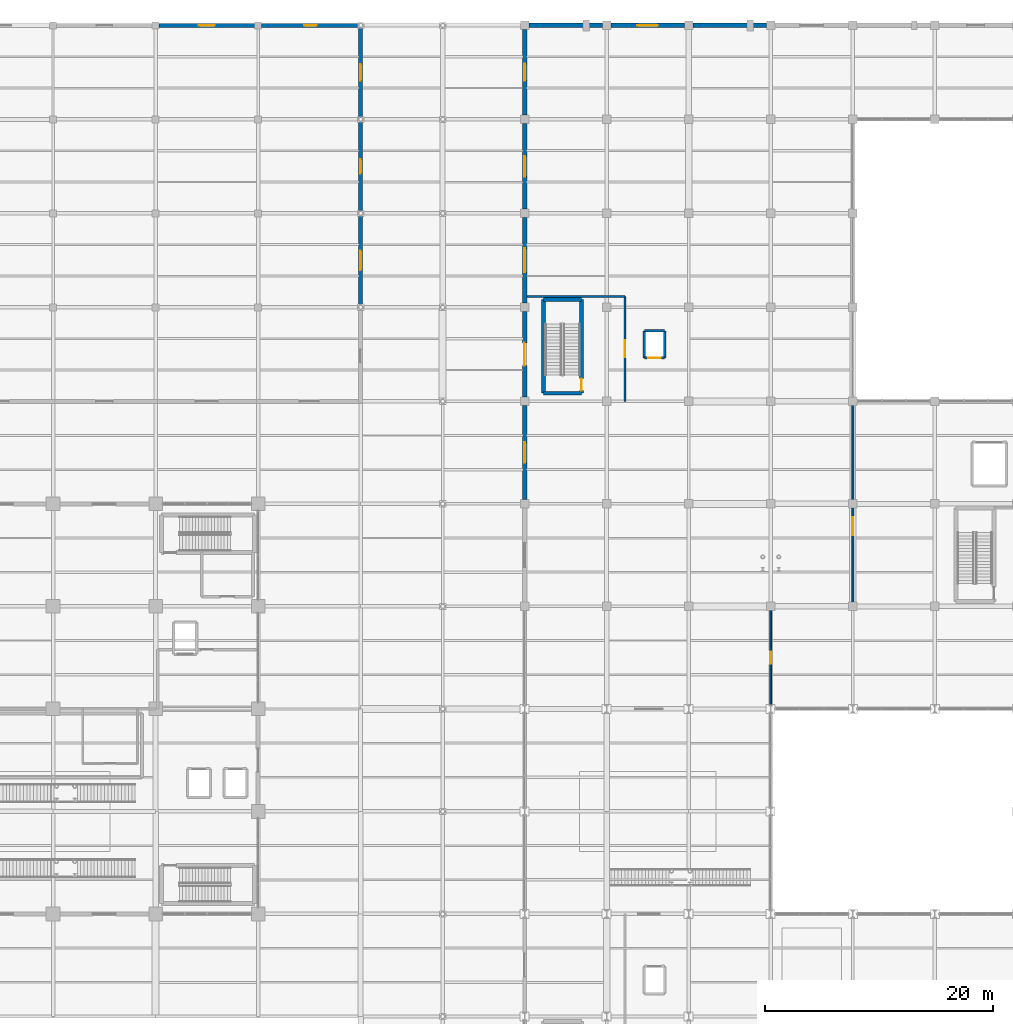
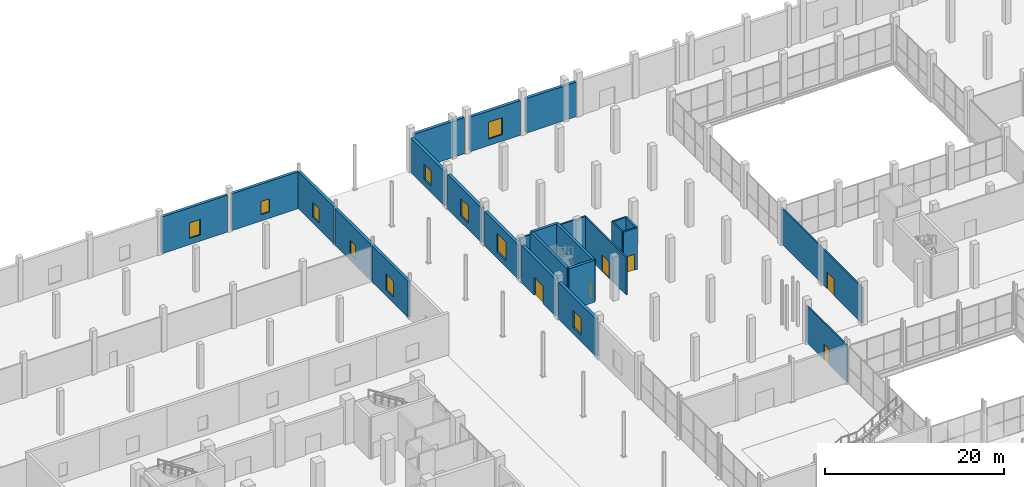
# One storey, part 129 of 144: 25 walls, 10 windows, 6 doors, 16 openings.
"""IFC4 building model written with IfcOpenShell, lengths in metres."""

from ifc_helpers import new_model, si_unit, direction, frame, frame_2d, origin, place, context, subcontext, project, spatial, rectangle, extrude, material, layer, layer_set, type_object, element, fill, save


model = new_model("IFC4")

# Units and contexts
model_context = context("Model", 3, precision=1e-05, world=origin(), true_north=direction((0.0, 1.0)))
body_context = subcontext(model_context, "Body", "Model", "MODEL_VIEW")
ifc_project = project(units=[si_unit("LENGTHUNIT", "METRE"), si_unit("AREAUNIT", "SQUARE_METRE"), si_unit("VOLUMEUNIT", "CUBIC_METRE"), si_unit("PLANEANGLEUNIT", "RADIAN"), si_unit("MASSUNIT", "GRAM", prefix="KILO")], contexts=[model_context])

# Site, building, storey
site_placement = place(None, origin())
site = spatial("IfcSite", under=ifc_project, at=site_placement, CompositionType="ELEMENT")
building_placement = place(site_placement, origin())
building = spatial("IfcBuilding", under=site, at=building_placement, Name="Sundgate Opera House", CompositionType="ELEMENT")
storey_placement = place(building_placement, origin())
storey = spatial("IfcBuildingStorey", under=building, at=storey_placement, Name="L00", CompositionType="ELEMENT", Elevation=0.0)

# Walls
ifc_material_1 = material(Name="Concrete C40/50", Category="concrete")
ifc_layer_1 = layer(ifc_material_1, 0.35009765625)
ifc_layer_set_1 = layer_set([ifc_layer_1], Name="Concrete C40/50")
wall_type_1 = type_object("IfcWallType", Name="WL-CORE-350", PredefinedType="SHEAR", material=ifc_layer_set_1)
for number, where, z_axis, x_axis, name in (
    (1, (97.06005859375, 87.7099609375, 0.0), (0.0, 0.0, 1.0), (1.0, 0.0, 0.0), "L00 C5 South Shaft Wall"),
    (2, (97.06005859375, 95.93994140625, 0.0), (0.0, 0.0, 1.0), (1.0, 0.0, 0.0), "L00 C5 North Shaft Wall"),
):
    element("IfcWall", number, at=place(storey_placement, frame(where, z_axis=z_axis, x_axis=x_axis)), inside=storey, type_object=wall_type_1, Name=name, PredefinedType="SHEAR", context=body_context, shape_type="SweptSolid", body=[
        extrude(rectangle(XDim=3.329833984375, YDim=0.35009765625, at=frame_2d((1.6650390625, 0.0))), origin(), (0.0, 0.0, 1.0), 5.699951171875),
    ])
wall_1_placement = place(storey_placement, frame((97.06005859375, 87.7099609375, 0.0), z_axis=(0.0, 0.0, 1.0), x_axis=(0.0, 1.0, 0.0)))
element("IfcWall", 3, at=wall_1_placement, inside=storey, type_object=wall_type_1, Name="L00 C5 West Shaft Wall", PredefinedType="SHEAR", context=body_context, shape_type="SweptSolid", body=[
    extrude(rectangle(XDim=8.22998046875, YDim=0.35009765625, at=frame_2d((4.114990234375, 0.0))), origin(), (0.0, 0.0, 1.0), 5.699951171875),
])

# Wall, opening, door
wall_2_placement = place(storey_placement, frame((100.389892578125, 87.7099609375, 0.0), z_axis=(0.0, 0.0, 1.0), x_axis=(0.0, 1.0, 0.0)))
wall_2 = element("IfcWall", 4, at=wall_2_placement, inside=storey, type_object=wall_type_1, Name="L00 C5 East Shaft Wall", PredefinedType="SHEAR", context=body_context, shape_type="SweptSolid", body=[
    extrude(rectangle(XDim=8.22998046875, YDim=0.35009765625, at=frame_2d((4.114990234375, 0.0))), origin(), (0.0, 0.0, 1.0), 5.699951171875),
])
opening_1_placement = place(wall_2_placement, frame((0.239990234375, 0.0, 0.0)))
opening_1 = element("IfcOpeningElement", 5, at=opening_1_placement, cuts=wall_2, Name="Opening DI01", PredefinedType="OPENING", context=body_context, shape_type="SweptSolid", body=[
    extrude(rectangle(XDim=1.050048828125, YDim=2.179931640625, at=frame_2d((0.52490234375, 1.08984375))), frame((0.0, 0.18505859375, 0.0), z_axis=(0.0, -1.0, 0.0), x_axis=(1.0, 0.0, 0.0)), (0.0, 0.0, 1.0), 0.3701171875),
])
ifc_material_2 = material(Name="Acoustic hardwood timber and steel core", Category="steel")
door_type_1 = type_object("IfcDoorType", Name="DR-STAIR-1050x2180", OperationType="NOTDEFINED", PredefinedType="DOOR", material=ifc_material_2)
door_1_placement = place(opening_1_placement, origin())
door_1 = element("IfcDoor", 6, at=door_1_placement, inside=storey, type_object=door_type_1, Name="L00 C5 Stair Door D0073", OperationType="SINGLE_SWING_LEFT", OverallHeight=2.179931640625, OverallWidth=1.050048828125, PredefinedType="DOOR", context=body_context, shape_type="SweptSolid", body=[
    extrude(rectangle(XDim=1.050048828125, YDim=2.179931640625, at=frame_2d((0.52490234375, 1.08984375))), frame((0.0, 0.02490234375, 0.0), z_axis=(0.0, -1.0, 0.0), x_axis=(1.0, 0.0, 0.0)), (0.0, 0.0, 1.0), 0.050048828125),
])
fill(opening_1, door_1)

# Wall, opening, window
ifc_material_3 = material(Name="Scanian red-brown facing brick masonry", Category="masonry")
ifc_layer_2 = layer(ifc_material_3, 0.360107421875)
ifc_layer_set_2 = layer_set([ifc_layer_2], Name="Scanian red-brown facing brick masonry")
wall_type_2 = type_object("IfcWallType", Name="WL-EXT-BRICK-360", PredefinedType="SOLIDWALL", material=ifc_layer_set_2)
wall_3_placement = place(storey_placement, frame((63.294921875, 120.0, 0.0), z_axis=(0.0, 0.0, 1.0), x_axis=(1.0, 0.0, 0.0)))
wall_3 = element("IfcWall", 7, at=wall_3_placement, inside=storey, type_object=wall_type_2, Name="L00 Costume Wing North Wall W0354", PredefinedType="SOLIDWALL", context=body_context, shape_type="SweptSolid", body=[
    extrude(rectangle(XDim=8.41015625, YDim=0.360107421875, at=frame_2d((4.205078125, 0.0))), origin(), (0.0, 0.0, 1.0), 5.014892578125),
])
opening_2_placement = place(wall_3_placement, frame((3.5048828125, 0.0, 0.85009765625)))
opening_2 = element("IfcOpeningElement", 8, at=opening_2_placement, cuts=wall_3, Name="Opening W11", PredefinedType="OPENING", context=body_context, shape_type="SweptSolid", body=[
    extrude(rectangle(XDim=1.39990234375, YDim=2.10009765625, at=frame_2d((0.699951171875, 1.050048828125))), frame((0.0, 0.18994140625, 0.0), z_axis=(0.0, -1.0, 0.0), x_axis=(1.0, 0.0, 0.0)), (0.0, 0.0, 1.0), 0.380126953125),
])
ifc_material_4 = material(Name="Low-iron triple glazing in patinated bronze frame", Category="glass")
window_type_1 = type_object("IfcWindowType", Name="WN-FOYR-1400x2100", PartitioningType="SINGLE_PANEL", PredefinedType="WINDOW", material=ifc_material_4)
window_1_placement = place(opening_2_placement, origin())
window_1 = element("IfcWindow", 9, at=window_1_placement, inside=storey, type_object=window_type_1, Name="L00 Costume Pavilion Window WN0270", OverallHeight=2.10009765625, OverallWidth=1.39990234375, PartitioningType="SINGLE_PANEL", PredefinedType="WINDOW", context=body_context, shape_type="SweptSolid", body=[
    extrude(rectangle(XDim=1.39990234375, YDim=2.10009765625, at=frame_2d((0.699951171875, 1.050048828125))), frame((0.0, 0.030029296875, 0.0), z_axis=(0.0, -1.0, 0.0), x_axis=(1.0, 0.0, 0.0)), (0.0, 0.0, 1.0), 0.06005859375),
])
fill(opening_2, window_1)

wall_4_placement = place(storey_placement, frame((72.294921875, 120.0, 0.0), z_axis=(0.0, 0.0, 1.0), x_axis=(1.0, 0.0, 0.0)))
wall_4 = element("IfcWall", 10, at=wall_4_placement, inside=storey, type_object=wall_type_2, Name="L00 Costume Wing North Wall W0355", PredefinedType="SOLIDWALL", context=body_context, shape_type="SweptSolid", body=[
    extrude(rectangle(XDim=8.572998046875, YDim=0.360107421875, at=frame_2d((4.28662109375, 0.0))), origin(), (0.0, 0.0, 1.0), 5.014892578125),
])
opening_3_placement = place(wall_4_placement, frame((3.736083984375, 0.0, 0.85009765625)))
opening_3 = element("IfcOpeningElement", 11, at=opening_3_placement, cuts=wall_4, Name="Opening W12", PredefinedType="OPENING", context=body_context, shape_type="SweptSolid", body=[
    extrude(rectangle(XDim=1.10009765625, YDim=1.800048828125, at=frame_2d((0.550048828125, 0.89990234375))), frame((0.0, 0.18994140625, 0.0), z_axis=(0.0, -1.0, 0.0), x_axis=(1.0, 0.0, 0.0)), (0.0, 0.0, 1.0), 0.380126953125),
])
ifc_material_5 = material(Name="Low-iron triple glazing in patinated bronze frame", Category="glass")
window_type_2 = type_object("IfcWindowType", Name="WN-STAGE-1100x1800", PartitioningType="SINGLE_PANEL", PredefinedType="WINDOW", material=ifc_material_5)
window_2_placement = place(opening_3_placement, origin())
window_2 = element("IfcWindow", 12, at=window_2_placement, inside=storey, type_object=window_type_2, Name="L00 Costume Pavilion Window WN0271", OverallHeight=1.800048828125, OverallWidth=1.10009765625, PartitioningType="SINGLE_PANEL", PredefinedType="WINDOW", context=body_context, shape_type="SweptSolid", body=[
    extrude(rectangle(XDim=1.10009765625, YDim=1.800048828125, at=frame_2d((0.550048828125, 0.89990234375))), frame((0.0, 0.030029296875, 0.0), z_axis=(0.0, -1.0, 0.0), x_axis=(1.0, 0.0, 0.0)), (0.0, 0.0, 1.0), 0.06005859375),
])
fill(opening_3, window_2)

wall_5_placement = place(storey_placement, frame((81.0, 95.382080078125, 0.0), z_axis=(0.0, 0.0, 1.0), x_axis=(0.0, 1.0, 0.0)))
wall_5 = element("IfcWall", 13, at=wall_5_placement, inside=storey, type_object=wall_type_2, Name="L00 Costume Wing East Wall W0361", PredefinedType="SOLIDWALL", context=body_context, shape_type="SweptSolid", body=[
    extrude(rectangle(XDim=7.98583984375, YDim=0.360107421875, at=frame_2d((3.992919921875, 0.0))), origin(), (0.0, 0.0, 1.0), 4.965087890625),
])
opening_4_placement = place(wall_5_placement, frame((3.14306640625, 0.0, 0.85009765625)))
opening_4 = element("IfcOpeningElement", 14, at=opening_4_placement, cuts=wall_5, Name="Opening W13", PredefinedType="OPENING", context=body_context, shape_type="SweptSolid", body=[
    extrude(rectangle(XDim=1.699951171875, YDim=2.14990234375, at=frame_2d((0.85009765625, 1.074951171875))), frame((0.0, 0.18994140625, 0.0), z_axis=(0.0, -1.0, 0.0), x_axis=(1.0, 0.0, 0.0)), (0.0, 0.0, 1.0), 0.380126953125),
])
ifc_material_6 = material(Name="Low-iron triple glazing in patinated bronze frame", Category="glass")
window_type_3 = type_object("IfcWindowType", Name="WN-GALL-1700x2150", PartitioningType="SINGLE_PANEL", PredefinedType="WINDOW", material=ifc_material_6)
window_3_placement = place(opening_4_placement, origin())
window_3 = element("IfcWindow", 15, at=window_3_placement, inside=storey, type_object=window_type_3, Name="L00 Costume Pavilion Window WN0276", OverallHeight=2.14990234375, OverallWidth=1.699951171875, PartitioningType="SINGLE_PANEL", PredefinedType="WINDOW", context=body_context, shape_type="SweptSolid", body=[
    extrude(rectangle(XDim=1.699951171875, YDim=2.14990234375, at=frame_2d((0.85009765625, 1.074951171875))), frame((0.0, 0.030029296875, 0.0), z_axis=(0.0, -1.0, 0.0), x_axis=(1.0, 0.0, 0.0)), (0.0, 0.0, 1.0), 0.06005859375),
])
fill(opening_4, window_3)

wall_6_placement = place(storey_placement, frame((81.0, 103.632080078125, 0.0), z_axis=(0.0, 0.0, 1.0), x_axis=(0.0, 1.0, 0.0)))
wall_6 = element("IfcWall", 16, at=wall_6_placement, inside=storey, type_object=wall_type_2, Name="L00 Costume Wing East Wall W0362", PredefinedType="SOLIDWALL", context=body_context, shape_type="SweptSolid", body=[
    extrude(rectangle(XDim=7.98583984375, YDim=0.360107421875, at=frame_2d((3.992919921875, 0.0))), origin(), (0.0, 0.0, 1.0), 4.965087890625),
])
opening_5_placement = place(wall_6_placement, frame((3.367919921875, 0.0, 0.85009765625)))
opening_5 = element("IfcOpeningElement", 17, at=opening_5_placement, cuts=wall_6, Name="Opening W14", PredefinedType="OPENING", context=body_context, shape_type="SweptSolid", body=[
    extrude(rectangle(XDim=1.25, YDim=1.85009765625, at=frame_2d((0.625, 0.925048828125))), frame((0.0, 0.18994140625, 0.0), z_axis=(0.0, -1.0, 0.0), x_axis=(1.0, 0.0, 0.0)), (0.0, 0.0, 1.0), 0.380126953125),
])
ifc_material_7 = material(Name="Low-iron triple glazing in patinated bronze frame", Category="glass")
window_type_4 = type_object("IfcWindowType", Name="WN-DRES-1250x1850", PartitioningType="SINGLE_PANEL", PredefinedType="WINDOW", material=ifc_material_7)
window_4_placement = place(opening_5_placement, origin())
window_4 = element("IfcWindow", 18, at=window_4_placement, inside=storey, type_object=window_type_4, Name="L00 Costume Pavilion Window WN0277", OverallHeight=1.85009765625, OverallWidth=1.25, PartitioningType="SINGLE_PANEL", PredefinedType="WINDOW", context=body_context, shape_type="SweptSolid", body=[
    extrude(rectangle(XDim=1.25, YDim=1.85009765625, at=frame_2d((0.625, 0.925048828125))), frame((0.0, 0.030029296875, 0.0), z_axis=(0.0, -1.0, 0.0), x_axis=(1.0, 0.0, 0.0)), (0.0, 0.0, 1.0), 0.06005859375),
])
fill(opening_5, window_4)

wall_7_placement = place(storey_placement, frame((81.0, 111.882080078125, 0.0), z_axis=(0.0, 0.0, 1.0), x_axis=(0.0, 1.0, 0.0)))
wall_7 = element("IfcWall", 19, at=wall_7_placement, inside=storey, type_object=wall_type_2, Name="L00 Costume Wing East Wall W0363", PredefinedType="SOLIDWALL", context=body_context, shape_type="SweptSolid", body=[
    extrude(rectangle(XDim=7.98583984375, YDim=0.360107421875, at=frame_2d((3.992919921875, 0.0))), origin(), (0.0, 0.0, 1.0), 5.06494140625),
])
opening_6_placement = place(wall_7_placement, frame((3.26806640625, 0.0, 0.85009765625)))
opening_6 = element("IfcOpeningElement", 20, at=opening_6_placement, cuts=wall_7, Name="Opening W15", PredefinedType="OPENING", context=body_context, shape_type="SweptSolid", body=[
    extrude(rectangle(XDim=1.449951171875, YDim=1.949951171875, at=frame_2d((0.72509765625, 0.97509765625))), frame((0.0, 0.18994140625, 0.0), z_axis=(0.0, -1.0, 0.0), x_axis=(1.0, 0.0, 0.0)), (0.0, 0.0, 1.0), 0.380126953125),
])
ifc_material_8 = material(Name="Low-iron triple glazing in patinated bronze frame", Category="glass")
window_type_5 = type_object("IfcWindowType", Name="WN-LIBR-1450x1950", PartitioningType="SINGLE_PANEL", PredefinedType="WINDOW", material=ifc_material_8)
window_5_placement = place(opening_6_placement, origin())
window_5 = element("IfcWindow", 21, at=window_5_placement, inside=storey, type_object=window_type_5, Name="L00 Costume Pavilion Window WN0278", OverallHeight=1.949951171875, OverallWidth=1.449951171875, PartitioningType="SINGLE_PANEL", PredefinedType="WINDOW", context=body_context, shape_type="SweptSolid", body=[
    extrude(rectangle(XDim=1.449951171875, YDim=1.949951171875, at=frame_2d((0.72509765625, 0.97509765625))), frame((0.0, 0.030029296875, 0.0), z_axis=(0.0, -1.0, 0.0), x_axis=(1.0, 0.0, 0.0)), (0.0, 0.0, 1.0), 0.06005859375),
])
fill(opening_6, window_5)

# Wall
ifc_material_9 = material(Name="Scanian red-brown facing brick masonry", Category="masonry")
ifc_layer_3 = layer(ifc_material_9, 0.389892578125)
ifc_layer_set_3 = layer_set([ifc_layer_3], Name="Scanian red-brown facing brick masonry")
wall_type_3 = type_object("IfcWallType", Name="WL-EXT-BRICK-390", PredefinedType="SOLIDWALL", material=ifc_layer_set_3)
wall_8_placement = place(storey_placement, frame((95.77001953125, 120.0, 0.0), z_axis=(0.0, 0.0, 1.0), x_axis=(1.0, 0.0, 0.0)))
element("IfcWall", 22, at=wall_8_placement, inside=storey, type_object=wall_type_3, Name="L00 Conservatory North Brick Wall W0170", PredefinedType="SOLIDWALL", context=body_context, shape_type="SweptSolid", body=[
    extrude(rectangle(XDim=6.4599609375, YDim=0.389892578125, at=frame_2d((3.22998046875, 0.0))), origin(), (0.0, 0.0, 1.0), 4.9150390625),
])

# Wall, opening, window
wall_9_placement = place(storey_placement, frame((102.969970703125, 120.0, 0.0), z_axis=(0.0, 0.0, 1.0), x_axis=(1.0, 0.0, 0.0)))
wall_9 = element("IfcWall", 23, at=wall_9_placement, inside=storey, type_object=wall_type_3, Name="L00 Conservatory North Brick Wall W0171", PredefinedType="SOLIDWALL", context=body_context, shape_type="SweptSolid", body=[
    extrude(rectangle(XDim=6.4599609375, YDim=0.389892578125, at=frame_2d((3.22998046875, 0.0))), origin(), (0.0, 0.0, 1.0), 4.715087890625),
])
opening_7_placement = place(wall_9_placement, frame((2.330078125, 0.0, 0.89990234375)))
opening_7 = element("IfcOpeningElement", 24, at=opening_7_placement, cuts=wall_9, Name="Opening W05", PredefinedType="OPENING", context=body_context, shape_type="SweptSolid", body=[
    extrude(rectangle(XDim=1.800048828125, YDim=2.300048828125, at=frame_2d((0.89990234375, 1.14990234375))), frame((0.0, 0.204833984375, 0.0), z_axis=(0.0, -1.0, 0.0), x_axis=(1.0, 0.0, 0.0)), (0.0, 0.0, 1.0), 0.409912109375),
])
ifc_material_10 = material(Name="Low-iron triple glazing in patinated bronze frame", Category="glass")
window_type_6 = type_object("IfcWindowType", Name="WN-CONS-1800x2300", PartitioningType="SINGLE_PANEL", PredefinedType="WINDOW", material=ifc_material_10)
window_6_placement = place(opening_7_placement, origin())
window_6 = element("IfcWindow", 25, at=window_6_placement, inside=storey, type_object=window_type_6, Name="L00 Conservatory Window WN0137", OverallHeight=2.300048828125, OverallWidth=1.800048828125, PartitioningType="SINGLE_PANEL", PredefinedType="WINDOW", context=body_context, shape_type="SweptSolid", body=[
    extrude(rectangle(XDim=1.800048828125, YDim=2.300048828125, at=frame_2d((0.89990234375, 1.14990234375))), frame((0.0, 0.030029296875, 0.0), z_axis=(0.0, -1.0, 0.0), x_axis=(1.0, 0.0, 0.0)), (0.0, 0.0, 1.0), 0.06005859375),
])
fill(opening_7, window_6)

# Wall
wall_10_placement = place(storey_placement, frame((110.169921875, 120.0, 0.0), z_axis=(0.0, 0.0, 1.0), x_axis=(1.0, 0.0, 0.0)))
element("IfcWall", 26, at=wall_10_placement, inside=storey, type_object=wall_type_3, Name="L00 Conservatory North Brick Wall W0172", PredefinedType="SOLIDWALL", context=body_context, shape_type="SweptSolid", body=[
    extrude(rectangle(XDim=6.4599609375, YDim=0.389892578125, at=frame_2d((3.22998046875, 0.0))), origin(), (0.0, 0.0, 1.0), 4.715087890625),
])

# Wall, opening, window
wall_11_placement = place(storey_placement, frame((95.39990234375, 86.6298828125, 0.0), z_axis=(0.0, 0.0, 1.0), x_axis=(0.0, -1.0, 0.0)))
wall_11 = element("IfcWall", 27, at=wall_11_placement, inside=storey, type_object=wall_type_3, Name="L00 Conservatory West Brick Wall W0188", PredefinedType="SOLIDWALL", context=body_context, shape_type="SweptSolid", body=[
    extrude(rectangle(XDim=8.259765625, YDim=0.389892578125, at=frame_2d((4.1298828125, 0.0))), origin(), (0.0, 0.0, 1.0), 5.06494140625),
])
opening_8_placement = place(wall_11_placement, frame((3.22998046875, 0.0, 0.89990234375)))
opening_8 = element("IfcOpeningElement", 28, at=opening_8_placement, cuts=wall_11, Name="Opening W05", PredefinedType="OPENING", context=body_context, shape_type="SweptSolid", body=[
    extrude(rectangle(XDim=1.800048828125, YDim=2.300048828125, at=frame_2d((0.89990234375, 1.14990234375))), frame((0.0, 0.204833984375, 0.0), z_axis=(0.0, -1.0, 0.0), x_axis=(1.0, 0.0, 0.0)), (0.0, 0.0, 1.0), 0.409912109375),
])
window_7_placement = place(opening_8_placement, origin())
window_7 = element("IfcWindow", 29, at=window_7_placement, inside=storey, type_object=window_type_6, Name="L00 Conservatory Window WN0148", OverallHeight=2.300048828125, OverallWidth=1.800048828125, PartitioningType="SINGLE_PANEL", PredefinedType="WINDOW", context=body_context, shape_type="SweptSolid", body=[
    extrude(rectangle(XDim=1.800048828125, YDim=2.300048828125, at=frame_2d((0.89990234375, 1.14990234375))), frame((0.0, 0.030029296875, 0.0), z_axis=(0.0, -1.0, 0.0), x_axis=(1.0, 0.0, 0.0)), (0.0, 0.0, 1.0), 0.06005859375),
])
fill(opening_8, window_7)

# Wall, opening, door
wall_12_placement = place(storey_placement, frame((95.39990234375, 94.8798828125, 0.0), z_axis=(0.0, 0.0, 1.0), x_axis=(0.0, -1.0, 0.0)))
wall_12 = element("IfcWall", 30, at=wall_12_placement, inside=storey, type_object=wall_type_3, Name="L00 Conservatory West Brick Wall W0189", PredefinedType="SOLIDWALL", context=body_context, shape_type="SweptSolid", body=[
    extrude(rectangle(XDim=7.509765625, YDim=0.389892578125, at=frame_2d((3.7548828125, 0.0))), origin(), (0.0, 0.0, 1.0), 5.06494140625),
])
opening_9_placement = place(wall_12_placement, frame((2.7548828125, 0.0, 0.0)))
opening_9 = element("IfcOpeningElement", 31, at=opening_9_placement, cuts=wall_12, Name="Opening DE1", PredefinedType="OPENING", context=body_context, shape_type="SweptSolid", body=[
    extrude(rectangle(XDim=2.0, YDim=2.39990234375, at=frame_2d((1.0, 1.199951171875))), frame((0.0, 0.204833984375, 0.0), z_axis=(0.0, -1.0, 0.0), x_axis=(1.0, 0.0, 0.0)), (0.0, 0.0, 1.0), 0.409912109375),
])
ifc_material_11 = material(Name="Patinated bronze and laminated safety glass", Category="glass")
door_type_2 = type_object("IfcDoorType", Name="DR-EXIT-2000x2400", OperationType="NOTDEFINED", PredefinedType="DOOR", material=ifc_material_11)
door_2_placement = place(opening_9_placement, origin())
door_2 = element("IfcDoor", 32, at=door_2_placement, inside=storey, type_object=door_type_2, Name="L00 Final Exit Door E13", OperationType="DOUBLE_DOOR_SINGLE_SWING", OverallHeight=2.39990234375, OverallWidth=2.0, PredefinedType="DOOR", context=body_context, shape_type="SweptSolid", body=[
    extrude(rectangle(XDim=2.0, YDim=2.39990234375, at=frame_2d((1.0, 1.199951171875))), frame((0.0, 0.02490234375, 0.0), z_axis=(0.0, -1.0, 0.0), x_axis=(1.0, 0.0, 0.0)), (0.0, 0.0, 1.0), 0.050048828125),
])
fill(opening_9, door_2)

# Wall, opening, window
wall_13_placement = place(storey_placement, frame((95.39990234375, 103.1298828125, 0.0), z_axis=(0.0, 0.0, 1.0), x_axis=(0.0, -1.0, 0.0)))
wall_13 = element("IfcWall", 33, at=wall_13_placement, inside=storey, type_object=wall_type_3, Name="L00 Conservatory West Brick Wall W0190", PredefinedType="SOLIDWALL", context=body_context, shape_type="SweptSolid", body=[
    extrude(rectangle(XDim=7.509765625, YDim=0.389892578125, at=frame_2d((3.7548828125, 0.0))), origin(), (0.0, 0.0, 1.0), 4.715087890625),
])
opening_10_placement = place(wall_13_placement, frame((2.705078125, 0.0, 0.89990234375)))
opening_10 = element("IfcOpeningElement", 34, at=opening_10_placement, cuts=wall_13, Name="Opening W04", PredefinedType="OPENING", context=body_context, shape_type="SweptSolid", body=[
    extrude(rectangle(XDim=2.10009765625, YDim=2.5, at=frame_2d((1.050048828125, 1.25))), frame((0.0, 0.204833984375, 0.0), z_axis=(0.0, -1.0, 0.0), x_axis=(1.0, 0.0, 0.0)), (0.0, 0.0, 1.0), 0.409912109375),
])
ifc_material_12 = material(Name="Low-iron triple glazing in patinated bronze frame", Category="glass")
window_type_7 = type_object("IfcWindowType", Name="WN-CONS-2100x2500", PartitioningType="SINGLE_PANEL", PredefinedType="WINDOW", material=ifc_material_12)
window_8_placement = place(opening_10_placement, origin())
window_8 = element("IfcWindow", 35, at=window_8_placement, inside=storey, type_object=window_type_7, Name="L00 Conservatory Window WN0149", OverallHeight=2.5, OverallWidth=2.10009765625, PartitioningType="SINGLE_PANEL", PredefinedType="WINDOW", context=body_context, shape_type="SweptSolid", body=[
    extrude(rectangle(XDim=2.10009765625, YDim=2.5, at=frame_2d((1.050048828125, 1.25))), frame((0.0, 0.030029296875, 0.0), z_axis=(0.0, -1.0, 0.0), x_axis=(1.0, 0.0, 0.0)), (0.0, 0.0, 1.0), 0.06005859375),
])
fill(opening_10, window_8)

wall_14_placement = place(storey_placement, frame((95.39990234375, 111.3798828125, 0.0), z_axis=(0.0, 0.0, 1.0), x_axis=(0.0, -1.0, 0.0)))
wall_14 = element("IfcWall", 36, at=wall_14_placement, inside=storey, type_object=wall_type_3, Name="L00 Conservatory West Brick Wall W0191", PredefinedType="SOLIDWALL", context=body_context, shape_type="SweptSolid", body=[
    extrude(rectangle(XDim=7.509765625, YDim=0.389892578125, at=frame_2d((3.7548828125, 0.0))), origin(), (0.0, 0.0, 1.0), 4.715087890625),
])
opening_11_placement = place(wall_14_placement, frame((2.85498046875, 0.0, 0.89990234375)))
opening_11 = element("IfcOpeningElement", 37, at=opening_11_placement, cuts=wall_14, Name="Opening W05", PredefinedType="OPENING", context=body_context, shape_type="SweptSolid", body=[
    extrude(rectangle(XDim=1.800048828125, YDim=2.300048828125, at=frame_2d((0.89990234375, 1.14990234375))), frame((0.0, 0.204833984375, 0.0), z_axis=(0.0, -1.0, 0.0), x_axis=(1.0, 0.0, 0.0)), (0.0, 0.0, 1.0), 0.409912109375),
])
window_9_placement = place(opening_11_placement, origin())
window_9 = element("IfcWindow", 38, at=window_9_placement, inside=storey, type_object=window_type_6, Name="L00 Conservatory Window WN0150", OverallHeight=2.300048828125, OverallWidth=1.800048828125, PartitioningType="SINGLE_PANEL", PredefinedType="WINDOW", context=body_context, shape_type="SweptSolid", body=[
    extrude(rectangle(XDim=1.800048828125, YDim=2.300048828125, at=frame_2d((0.89990234375, 1.14990234375))), frame((0.0, 0.030029296875, 0.0), z_axis=(0.0, -1.0, 0.0), x_axis=(1.0, 0.0, 0.0)), (0.0, 0.0, 1.0), 0.06005859375),
])
fill(opening_11, window_9)

wall_15_placement = place(storey_placement, frame((95.39990234375, 119.6298828125, 0.0), z_axis=(0.0, 0.0, 1.0), x_axis=(0.0, -1.0, 0.0)))
wall_15 = element("IfcWall", 39, at=wall_15_placement, inside=storey, type_object=wall_type_3, Name="L00 Conservatory West Brick Wall W0192", PredefinedType="SOLIDWALL", context=body_context, shape_type="SweptSolid", body=[
    extrude(rectangle(XDim=7.509765625, YDim=0.389892578125, at=frame_2d((3.7548828125, 0.0))), origin(), (0.0, 0.0, 1.0), 4.715087890625),
])
opening_12_placement = place(wall_15_placement, frame((3.0048828125, 0.0, 0.89990234375)))
opening_12 = element("IfcOpeningElement", 40, at=opening_12_placement, cuts=wall_15, Name="Opening W06", PredefinedType="OPENING", context=body_context, shape_type="SweptSolid", body=[
    extrude(rectangle(XDim=1.5, YDim=2.050048828125, at=frame_2d((0.75, 1.02490234375))), frame((0.0, 0.204833984375, 0.0), z_axis=(0.0, -1.0, 0.0), x_axis=(1.0, 0.0, 0.0)), (0.0, 0.0, 1.0), 0.409912109375),
])
ifc_material_13 = material(Name="Low-iron triple glazing in patinated bronze frame", Category="glass")
window_type_8 = type_object("IfcWindowType", Name="WN-CONS-1500x2050", PartitioningType="SINGLE_PANEL", PredefinedType="WINDOW", material=ifc_material_13)
window_10_placement = place(opening_12_placement, origin())
window_10 = element("IfcWindow", 41, at=window_10_placement, inside=storey, type_object=window_type_8, Name="L00 Conservatory Window WN0151", OverallHeight=2.050048828125, OverallWidth=1.5, PartitioningType="SINGLE_PANEL", PredefinedType="WINDOW", context=body_context, shape_type="SweptSolid", body=[
    extrude(rectangle(XDim=1.5, YDim=2.050048828125, at=frame_2d((0.75, 1.02490234375))), frame((0.0, 0.030029296875, 0.0), z_axis=(0.0, -1.0, 0.0), x_axis=(1.0, 0.0, 0.0)), (0.0, 0.0, 1.0), 0.06005859375),
])
fill(opening_12, window_10)

# Wall, opening, door
ifc_material_14 = material(Name="Fire-rated corridor partition", Category="gypsum")
ifc_layer_4 = layer(ifc_material_14, 0.199951171875)
ifc_layer_set_4 = layer_set([ifc_layer_4], Name="Fire-rated corridor partition")
wall_type_4 = type_object("IfcWallType", Name="WL-INT-FIRE-200", PredefinedType="PARTITIONING", material=ifc_layer_set_4)
wall_16_placement = place(storey_placement, frame((104.199951171875, 87.0, 0.0), z_axis=(0.0, 0.0, 1.0), x_axis=(0.0, 1.0, 0.0)))
wall_16 = element("IfcWall", 42, at=wall_16_placement, inside=storey, type_object=wall_type_4, Name="L00 Interior Partition W1001", PredefinedType="PARTITIONING", context=body_context, shape_type="SweptSolid", body=[
    extrude(rectangle(XDim=9.199951171875, YDim=0.199951171875, at=frame_2d((4.60009765625, 0.0))), origin(), (0.0, 0.0, 1.0), 5.074951171875),
])
opening_13_placement = place(wall_16_placement, frame((3.85009765625, 0.0, 0.0)))
opening_13 = element("IfcOpeningElement", 43, at=opening_13_placement, cuts=wall_16, Name="Opening DI07", PredefinedType="OPENING", context=body_context, shape_type="SweptSolid", body=[
    extrude(rectangle(XDim=1.5, YDim=2.199951171875, at=frame_2d((0.75, 1.10009765625))), frame((0.0, 0.10986328125, 0.0), z_axis=(0.0, -1.0, 0.0), x_axis=(1.0, 0.0, 0.0)), (0.0, 0.0, 1.0), 0.219970703125),
])
ifc_material_15 = material(Name="Acoustic hardwood timber and steel core", Category="steel")
door_type_3 = type_object("IfcDoorType", Name="DR-CORR-1500x2200", OperationType="DOUBLE_DOOR_SINGLE_SWING", PredefinedType="DOOR", material=ifc_material_15)
door_3_placement = place(opening_13_placement, origin())
door_3 = element("IfcDoor", 44, at=door_3_placement, inside=storey, type_object=door_type_3, Name="L00 Interior Door D0177", OperationType="DOUBLE_DOOR_SINGLE_SWING", OverallHeight=2.199951171875, OverallWidth=1.5, PredefinedType="DOOR", context=body_context, shape_type="SweptSolid", body=[
    extrude(rectangle(XDim=1.5, YDim=2.199951171875, at=frame_2d((0.75, 1.10009765625))), frame((0.0, 0.02490234375, 0.0), z_axis=(0.0, -1.0, 0.0), x_axis=(1.0, 0.0, 0.0)), (0.0, 0.0, 1.0), 0.050048828125),
])
fill(opening_13, door_3)

# Wall
wall_17_placement = place(storey_placement, frame((95.60009765625, 96.199951171875, 0.0), z_axis=(0.0, 0.0, 1.0), x_axis=(1.0, 0.0, 0.0)))
element("IfcWall", 45, at=wall_17_placement, inside=storey, type_object=wall_type_4, Name="L00 Interior Partition W1002", PredefinedType="PARTITIONING", context=body_context, shape_type="SweptSolid", body=[
    extrude(rectangle(XDim=8.599853515625, YDim=0.199951171875, at=frame_2d((4.2998046875, 0.0))), origin(), (0.0, 0.0, 1.0), 5.1650390625),
])

# Wall, opening, door
ifc_material_16 = material(Name="Fire-rated gypsum and mineral-wool shaft partition", Category="gypsum")
ifc_layer_5 = layer(ifc_material_16, 0.219970703125)
ifc_layer_set_5 = layer_set([ifc_layer_5], Name="Fire-rated gypsum and mineral-wool shaft partition")
wall_type_5 = type_object("IfcWallType", Name="WL-INT-FIRE-220", PredefinedType="PARTITIONING", material=ifc_layer_set_5)
wall_18_placement = place(storey_placement, frame((105.909912109375, 90.81005859375, 0.0), z_axis=(0.0, 0.0, 1.0), x_axis=(1.0, 0.0, 0.0)))
wall_18 = element("IfcWall", 46, at=wall_18_placement, inside=storey, type_object=wall_type_5, Name="L00 LF-04 South Shaft Wall", PredefinedType="PARTITIONING", context=body_context, shape_type="SweptSolid", body=[
    extrude(rectangle(XDim=1.780029296875, YDim=0.219970703125, at=frame_2d((0.89013671875, 0.0))), origin(), (0.0, 0.0, 1.0), 5.6650390625),
])
opening_14_placement = place(wall_18_placement, frame((0.340087890625, 0.0, 0.0)))
opening_14 = element("IfcOpeningElement", 47, at=opening_14_placement, cuts=wall_18, Name="Opening LD1", PredefinedType="OPENING", context=body_context, shape_type="SweptSolid", body=[
    extrude(rectangle(XDim=1.10009765625, YDim=2.179931640625, at=frame_2d((0.550048828125, 1.08984375))), frame((0.0, 0.119873046875, 0.0), z_axis=(0.0, -1.0, 0.0), x_axis=(1.0, 0.0, 0.0)), (0.0, 0.0, 1.0), 0.239990234375),
])
ifc_material_17 = material(Name="Brushed stainless steel EN 1.4301", Category="steel")
door_type_4 = type_object("IfcDoorType", Name="DR-LIFT-1100x2180", OperationType="DOUBLE_DOOR_SLIDING", PredefinedType="DOOR", material=ifc_material_17)
door_4_placement = place(opening_14_placement, origin())
door_4 = element("IfcDoor", 48, at=door_4_placement, inside=storey, type_object=door_type_4, Name="L00 LF-04 Landing Door D0114", OperationType="DOUBLE_DOOR_SLIDING", OverallHeight=2.179931640625, OverallWidth=1.10009765625, PredefinedType="DOOR", context=body_context, shape_type="SweptSolid", body=[
    extrude(rectangle(XDim=1.10009765625, YDim=2.179931640625, at=frame_2d((0.550048828125, 1.08984375))), frame((0.0, 0.02490234375, 0.0), z_axis=(0.0, -1.0, 0.0), x_axis=(1.0, 0.0, 0.0)), (0.0, 0.0, 1.0), 0.050048828125),
])
fill(opening_14, door_4)

# Walls
wall_19_placement = place(storey_placement, frame((105.909912109375, 93.18994140625, 0.0), z_axis=(0.0, 0.0, 1.0), x_axis=(1.0, 0.0, 0.0)))
element("IfcWall", 49, at=wall_19_placement, inside=storey, type_object=wall_type_5, Name="L00 LF-04 North Shaft Wall", PredefinedType="PARTITIONING", context=body_context, shape_type="SweptSolid", body=[
    extrude(rectangle(XDim=1.780029296875, YDim=0.219970703125, at=frame_2d((0.89013671875, 0.0))), origin(), (0.0, 0.0, 1.0), 5.6650390625),
])
for number, where, z_axis, x_axis, name in (
    (50, (105.909912109375, 90.81005859375, 0.0), (0.0, 0.0, 1.0), (0.0, 1.0, 0.0), "L00 LF-04 West Shaft Wall"),
    (51, (107.68994140625, 90.81005859375, 0.0), (0.0, 0.0, 1.0), (0.0, 1.0, 0.0), "L00 LF-04 East Shaft Wall"),
):
    element("IfcWall", number, at=place(storey_placement, frame(where, z_axis=z_axis, x_axis=x_axis)), inside=storey, type_object=wall_type_5, Name=name, PredefinedType="PARTITIONING", context=body_context, shape_type="SweptSolid", body=[
        extrude(rectangle(XDim=2.3798828125, YDim=0.219970703125, at=frame_2d((1.18994140625, 0.0))), origin(), (0.0, 0.0, 1.0), 5.6650390625),
    ])

# Wall, opening, door
ifc_material_18 = material(Name="Dressing suite acoustic partition", Category="gypsum")
ifc_layer_6 = layer(ifc_material_18, 0.159912109375)
ifc_layer_set_6 = layer_set([ifc_layer_6], Name="Dressing suite acoustic partition")
wall_type_6 = type_object("IfcWallType", Name="WL-INT-PART-160", PredefinedType="PARTITIONING", material=ifc_layer_set_6)
wall_20_placement = place(storey_placement, frame((117.0, 60.0, 0.0), z_axis=(0.0, 0.0, 1.0), x_axis=(0.0, 1.0, 0.0)))
wall_20 = element("IfcWall", 52, at=wall_20_placement, inside=storey, type_object=wall_type_6, Name="L00 Interior Partition W1008", PredefinedType="PARTITIONING", context=body_context, shape_type="SweptSolid", body=[
    extrude(rectangle(XDim=9.0, YDim=0.159912109375, at=frame_2d((4.5, 0.0))), origin(), (0.0, 0.0, 1.0), 5.06494140625),
])
opening_15_placement = place(wall_20_placement, frame((3.97509765625, 0.0, 0.0)))
opening_15 = element("IfcOpeningElement", 53, at=opening_15_placement, cuts=wall_20, Name="Opening DI08", PredefinedType="OPENING", context=body_context, shape_type="SweptSolid", body=[
    extrude(rectangle(XDim=1.050048828125, YDim=2.1201171875, at=frame_2d((0.52490234375, 1.06005859375))), frame((0.0, 0.08984375, 0.0), z_axis=(0.0, -1.0, 0.0), x_axis=(1.0, 0.0, 0.0)), (0.0, 0.0, 1.0), 0.179931640625),
])
ifc_material_19 = material(Name="Acoustic hardwood timber and steel core", Category="steel")
door_type_5 = type_object("IfcDoorType", Name="DR-ROOM-1050x2120", OperationType="NOTDEFINED", PredefinedType="DOOR", material=ifc_material_19)
door_5_placement = place(opening_15_placement, origin())
door_5 = element("IfcDoor", 54, at=door_5_placement, inside=storey, type_object=door_type_5, Name="L00 Interior Door D0183", OperationType="SINGLE_SWING_RIGHT", OverallHeight=2.1201171875, OverallWidth=1.050048828125, PredefinedType="DOOR", context=body_context, shape_type="SweptSolid", body=[
    extrude(rectangle(XDim=1.050048828125, YDim=2.1201171875, at=frame_2d((0.52490234375, 1.06005859375))), frame((0.0, 0.02490234375, 0.0), z_axis=(0.0, -1.0, 0.0), x_axis=(1.0, 0.0, 0.0)), (0.0, 0.0, 1.0), 0.050048828125),
])
fill(opening_15, door_5)

ifc_material_20 = material(Name="Acoustic rehearsal stud partition", Category="gypsum")
ifc_layer_7 = layer(ifc_material_20, 0.175048828125)
ifc_layer_set_7 = layer_set([ifc_layer_7], Name="Acoustic rehearsal stud partition")
wall_type_7 = type_object("IfcWallType", Name="WL-INT-PART-175", PredefinedType="PARTITIONING", material=ifc_layer_set_7)
wall_21_placement = place(storey_placement, frame((124.199951171875, 69.0, 0.0), z_axis=(0.0, 0.0, 1.0), x_axis=(0.0, 1.0, 0.0)))
wall_21 = element("IfcWall", 55, at=wall_21_placement, inside=storey, type_object=wall_type_7, Name="L00 Interior Partition W1014", PredefinedType="PARTITIONING", context=body_context, shape_type="SweptSolid", body=[
    extrude(rectangle(XDim=18.0, YDim=0.175048828125, at=frame_2d((9.0, 0.0))), origin(), (0.0, 0.0, 1.0), 4.9150390625),
])
opening_16_placement = place(wall_21_placement, frame((6.23193359375, 0.0, 0.0)))
opening_16 = element("IfcOpeningElement", 56, at=opening_16_placement, cuts=wall_21, Name="Opening DI06", PredefinedType="OPENING", context=body_context, shape_type="SweptSolid", body=[
    extrude(rectangle(XDim=1.60009765625, YDim=2.25, at=frame_2d((0.800048828125, 1.125))), frame((0.0, 0.097412109375, 0.0), z_axis=(0.0, -1.0, 0.0), x_axis=(1.0, 0.0, 0.0)), (0.0, 0.0, 1.0), 0.195068359375),
])
ifc_material_21 = material(Name="Acoustic hardwood timber and steel core", Category="steel")
door_type_6 = type_object("IfcDoorType", Name="DR-REH-1600x2250", OperationType="DOUBLE_DOOR_SINGLE_SWING", PredefinedType="DOOR", material=ifc_material_21)
door_6_placement = place(opening_16_placement, origin())
door_6 = element("IfcDoor", 57, at=door_6_placement, inside=storey, type_object=door_type_6, Name="L00 Interior Door D0188", OperationType="DOUBLE_DOOR_SINGLE_SWING", OverallHeight=2.25, OverallWidth=1.60009765625, PredefinedType="DOOR", context=body_context, shape_type="SweptSolid", body=[
    extrude(rectangle(XDim=1.60009765625, YDim=2.25, at=frame_2d((0.800048828125, 1.125))), frame((0.0, 0.02490234375, 0.0), z_axis=(0.0, -1.0, 0.0), x_axis=(1.0, 0.0, 0.0)), (0.0, 0.0, 1.0), 0.050048828125),
])
fill(opening_16, door_6)

save(model, "model.ifc")
